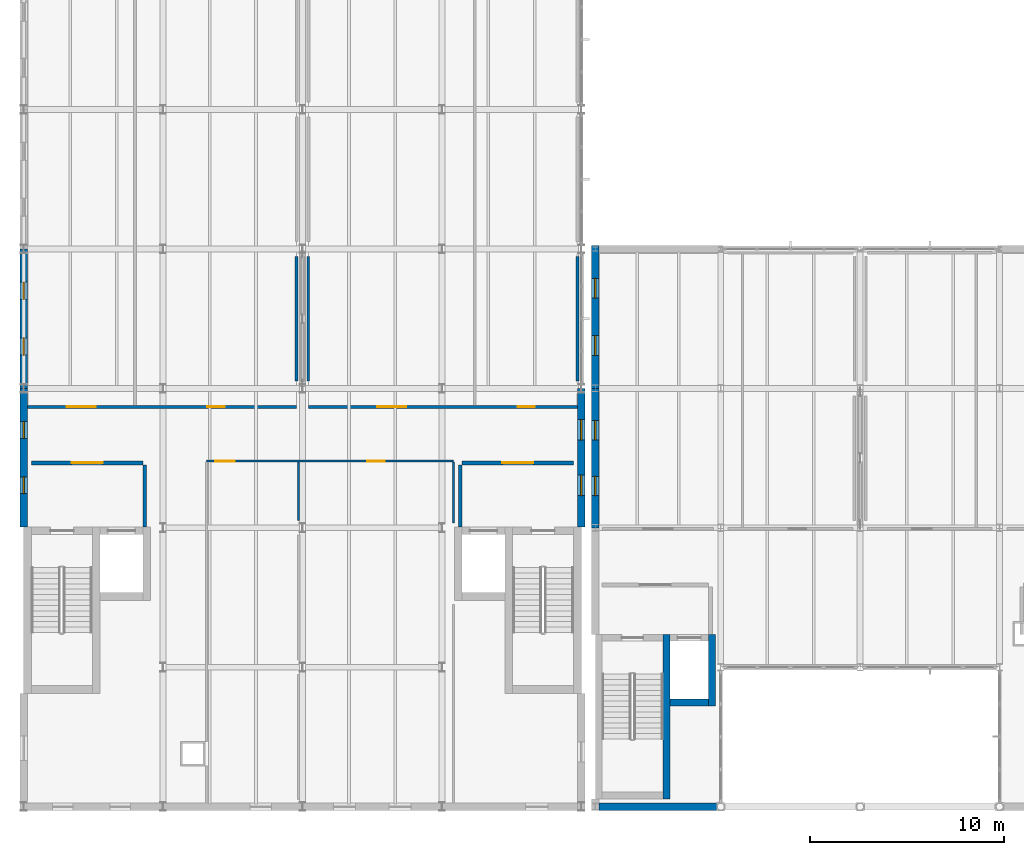
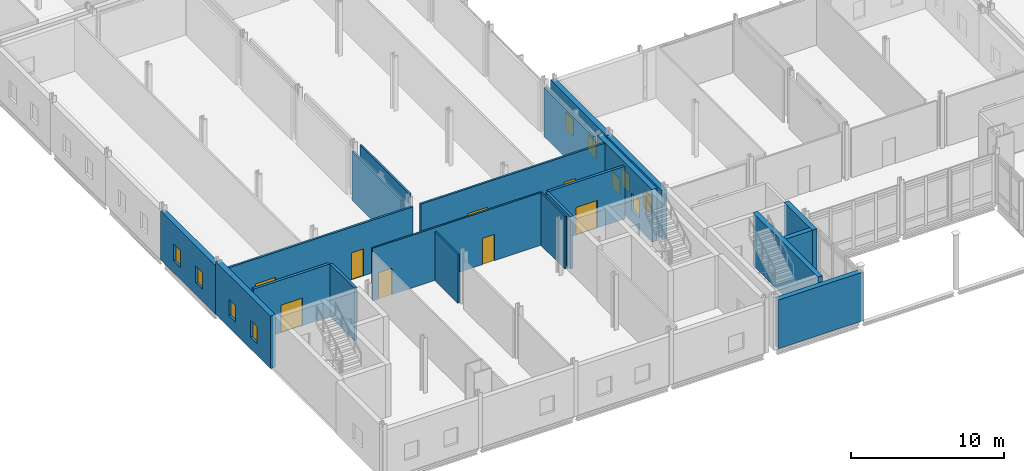
# One storey, part 52 of 72: 21 walls, 10 windows, 8 doors, 18 openings.
"""IFC4 building model written with IfcOpenShell, lengths in metres."""

import ifcopenshell
import ifcopenshell.guid

model = None  # the IFC model being written
_history = None  # IfcOwnerHistory: only IFC2X3 demands one
_inside = {}  # id of a spatial element -> (the spatial element, [elements in it])
_under = {}  # id of a project, library or spatial element -> (it, [spatial elements below it])
_declared = {}  # id of a project -> (the project, [libraries it declares])
_typed = {}  # id of a type object -> (the type object, [elements of that type])
_made_of = {}  # id of a material, layer set ... -> (it, [elements and type objects made of it])


def new_model(schema):
    """Start an empty IFC model of exactly this schema.

    Asked for "IFC4X3", IfcOpenShell would pick the latest addendum, in which some entities
    have other attributes; the version numbers below select the first issue.
    IFC2X3 requires an IfcOwnerHistory on every rooted entity: one is made here for all.
    """
    global model, _history
    if schema == "IFC4X3":
        model = ifcopenshell.file(schema_version=(4, 3, 0, 0))
    else:
        model = ifcopenshell.file(schema=schema)
    _inside.clear()
    _under.clear()
    _declared.clear()
    _typed.clear()
    _made_of.clear()
    _history = None
    if model.schema == "IFC2X3":
        org = make("IfcOrganization", Name="unknown")
        user = make(
            "IfcPersonAndOrganization",
            ThePerson=make("IfcPerson", FamilyName="unknown"),
            TheOrganization=org,
        )
        app = make(
            "IfcApplication",
            ApplicationDeveloper=org,
            Version="unknown",
            ApplicationFullName="unknown",
            ApplicationIdentifier="unknown",
        )
        _history = make(
            "IfcOwnerHistory",
            OwningUser=user,
            OwningApplication=app,
            ChangeAction="ADDED",
            CreationDate=0,
        )
    return model


def make(cls, **values):
    """One entity of the class cls with the attributes given. An attribute that is None is left unset."""
    return model.create_entity(
        cls, **{name: value for name, value in values.items() if value is not None}
    )


def rooted(cls, **values):
    """An entity with a GlobalId (a new one), such as an element, a storey or a relation."""
    return make(cls, GlobalId=ifcopenshell.guid.new(), OwnerHistory=_history, **values)


def si_unit(unit_type, name, prefix=None):
    """IfcSIUnit, for example si_unit("LENGTHUNIT", "METRE", prefix="MILLI")."""
    return make("IfcSIUnit", UnitType=unit_type, Prefix=prefix, Name=name)


def assignment(units):
    """IfcUnitAssignment: the units of a project."""
    return None if units is None else make("IfcUnitAssignment", Units=units)


def point(xyz):
    """IfcCartesianPoint."""
    return None if xyz is None else make("IfcCartesianPoint", Coordinates=xyz)


def direction(xyz):
    """IfcDirection."""
    return None if xyz is None else make("IfcDirection", DirectionRatios=xyz)


def frame(location, z_axis=None, x_axis=None):
    """IfcAxis2Placement3D, a coordinate frame: its origin and axes. An axis left out is left unset."""
    return make(
        "IfcAxis2Placement3D",
        Location=point(location),
        Axis=direction(z_axis),
        RefDirection=direction(x_axis),
    )


def frame_2d(location, x_axis=None):
    """IfcAxis2Placement2D, a coordinate frame in the plane: its origin and x axis."""
    return make(
        "IfcAxis2Placement2D", Location=point(location), RefDirection=direction(x_axis)
    )


def origin():
    """The frame at (0, 0, 0) with its axes left unset."""
    return frame((0.0, 0.0, 0.0))


def place(relative_to, where):
    """IfcLocalPlacement: puts the frame where relative to a parent placement (None: the world)."""
    return make(
        "IfcLocalPlacement", PlacementRelTo=relative_to, RelativePlacement=where
    )


def context(
    kind, dimensions, precision=None, world=None, true_north=None, identifier=None
):
    """IfcGeometricRepresentationContext, for example the 3D "Model" context."""
    return make(
        "IfcGeometricRepresentationContext",
        ContextIdentifier=identifier,
        ContextType=kind,
        CoordinateSpaceDimension=dimensions,
        Precision=precision,
        WorldCoordinateSystem=world,
        TrueNorth=true_north,
    )


def subcontext(parent, identifier, kind, view, scale=None):
    """IfcGeometricRepresentationSubContext, for example "Body" below "Model"."""
    return make(
        "IfcGeometricRepresentationSubContext",
        ContextIdentifier=identifier,
        ContextType=kind,
        ParentContext=parent,
        TargetScale=scale,
        TargetView=view,
    )


def project(units=None, contexts=None):
    """IfcProject with its units and contexts."""
    return rooted(
        "IfcProject",
        Name="project",
        RepresentationContexts=contexts,
        UnitsInContext=assignment(units),
    )


def spatial(cls, under=None, at=None, **own):
    """A site, building, storey or space (cls), placed at a placement, below another one or the project."""
    s = rooted(cls, ObjectPlacement=at, **own)
    if under is not None:
        _under.setdefault(under.id(), (under, []))[1].append(s)
    return s


def profile(cls, at=None, kind="AREA", **sizes):
    """A parametric profile (cls). Its sizes go by their IFC names, for example OverallWidth=200.0."""
    return make(cls, ProfileType=kind, Position=at, **sizes)


def rectangle(**sizes):
    """IfcRectangleProfileDef."""
    return profile("IfcRectangleProfileDef", **sizes)


def extrude(swept, where, along, depth):
    """IfcExtrudedAreaSolid: the profile swept, set in the frame where, extruded along a direction by depth."""
    return make(
        "IfcExtrudedAreaSolid",
        SweptArea=swept,
        Position=where,
        ExtrudedDirection=direction(along),
        Depth=depth,
    )


def shape(context_of_items, identifier, shape_type, items):
    """IfcShapeRepresentation: the items that make up one representation, for example the "Body"."""
    return make(
        "IfcShapeRepresentation",
        ContextOfItems=context_of_items,
        RepresentationIdentifier=identifier,
        RepresentationType=shape_type,
        Items=items,
    )


def material(Name=None, Category=None):
    """IfcMaterial."""
    return make("IfcMaterial", Name=Name, Category=Category)


def layer(
    of_material, thickness, ventilated=None, Name=None, Category=None, Priority=None
):
    """IfcMaterialLayer: one layer of a wall or slab, of a material (None: an air gap)."""
    return make(
        "IfcMaterialLayer",
        Material=of_material,
        LayerThickness=thickness,
        IsVentilated=ventilated,
        Name=Name,
        Category=Category,
        Priority=Priority,
    )


def layer_set(layers, Name=None):
    """IfcMaterialLayerSet."""
    return make("IfcMaterialLayerSet", MaterialLayers=layers, LayerSetName=Name)


def made_of(thing, what):
    """Note that an element or type object is made of a material, layer set ...; save() writes the relation."""
    if what is not None:
        _made_of.setdefault(what.id(), (what, []))[1].append(thing)
    return thing


def type_object(cls, material=None, **own):
    """A type object (cls), such as IfcWallType, which elements share."""
    return made_of(rooted(cls, **own), material)


def element(
    cls,
    number,
    at=None,
    inside=None,
    cuts=None,
    type_object=None,
    material=None,
    context=None,
    identifier="Body",
    shape_type=None,
    held_by="IfcProductDefinitionShape",
    body=None,
    shapes=None,
    **own,
):
    """One element of the class cls, such as IfcWall. Its Tag is "e" and its number.

    at: its placement. inside: the storey or other place that contains it. cuts: it is an
    opening in that element (IfcRelVoidsElement). A single representation is given by context,
    identifier, shape_type and body (its items); several are given by shapes. held_by: the class
    of the entity that holds the representations. save() writes the other relations.
    """
    e = rooted(cls, Tag="e%d" % number, ObjectPlacement=at, **own)
    if body is not None:
        shapes = [shape(context, identifier, shape_type, body)]
    if shapes is not None:
        e.Representation = make(held_by, Representations=shapes)
    if inside is not None:
        _inside.setdefault(inside.id(), (inside, []))[1].append(e)
    if cuts is not None:
        rooted(
            "IfcRelVoidsElement", RelatingBuildingElement=cuts, RelatedOpeningElement=e
        )
    if type_object is not None:
        _typed.setdefault(type_object.id(), (type_object, []))[1].append(e)
    return made_of(e, material)


def fill(opening, filler):
    """IfcRelFillsElement: the door or window that sits in an opening."""
    return rooted(
        "IfcRelFillsElement",
        RelatingOpeningElement=opening,
        RelatedBuildingElement=filler,
    )


def aggregate(whole, parts):
    """IfcRelAggregates: a whole, such as a stair, and the parts it consists of."""
    return rooted("IfcRelAggregates", RelatingObject=whole, RelatedObjects=parts)


def save(model, path):
    """Write the relations noted so far, then the file.

    IfcRelAggregates (storeys below a building ...), IfcRelContainedInSpatialStructure (elements
    in a storey), IfcRelDefinesByType, IfcRelAssociatesMaterial and IfcRelDeclares: one each for
    every whole, place, type object, material and project.
    """
    for whole, parts in _under.values():
        aggregate(whole, parts)
    for where, things in _inside.values():
        rooted(
            "IfcRelContainedInSpatialStructure",
            RelatedElements=things,
            RelatingStructure=where,
        )
    for kind, things in _typed.values():
        rooted("IfcRelDefinesByType", RelatedObjects=things, RelatingType=kind)
    for what, things in _made_of.values():
        rooted("IfcRelAssociatesMaterial", RelatedObjects=things, RelatingMaterial=what)
    for by, libraries in _declared.values():
        rooted("IfcRelDeclares", RelatingContext=by, RelatedDefinitions=libraries)
    model.write(path)


model = new_model("IFC4")

# Units and contexts
model_context = context("Model", 3, precision=1e-05, world=origin(), true_north=direction((0.0, 1.0)))
body_context = subcontext(model_context, "Body", "Model", "MODEL_VIEW")
ifc_project = project(units=[si_unit("LENGTHUNIT", "METRE"), si_unit("AREAUNIT", "SQUARE_METRE"), si_unit("VOLUMEUNIT", "CUBIC_METRE"), si_unit("PLANEANGLEUNIT", "RADIAN"), si_unit("MASSUNIT", "GRAM", prefix="KILO")], contexts=[model_context])

# Site, building, storey
site_placement = place(None, origin())
site = spatial("IfcSite", under=ifc_project, at=site_placement, CompositionType="ELEMENT")
building_placement = place(site_placement, origin())
building = spatial("IfcBuilding", under=site, at=building_placement, Name="Zarrinpeak Specialist Clinic", CompositionType="ELEMENT")
storey_placement = place(building_placement, frame((0.0, 0.0, 9.60009765625)))
storey = spatial("IfcBuildingStorey", under=building, at=storey_placement, Name="L02", CompositionType="ELEMENT", Elevation=9.60009765625)

# Walls
ifc_material_1 = material(Name="Concrete C40/50", Category="concrete")
ifc_layer_1 = layer(ifc_material_1, 0.35009765625)
ifc_layer_set_1 = layer_set([ifc_layer_1], Name="Concrete C40/50")
wall_type_1 = type_object("IfcWallType", Name="WL-CR350", PredefinedType="SHEAR", material=ifc_layer_set_1)
wall_1_placement = place(storey_placement, frame((33.195068359375, 0.39990234375, 0.0), z_axis=(0.0, 0.0, 1.0), x_axis=(0.0, 1.0, 0.0)))
element("IfcWall", 1, at=wall_1_placement, inside=storey, type_object=wall_type_1, Name="L02 Core C03 Shear Wall STE", PredefinedType="SHEAR", context=body_context, shape_type="SweptSolid", body=[
    extrude(rectangle(XDim=8.5, YDim=0.35009765625, at=frame_2d((4.25, 0.0))), origin(), (0.0, 0.0, 1.0), 4.199951171875),
])
wall_2_placement = place(storey_placement, frame((33.3701171875, 5.375, 0.0), z_axis=(0.0, 0.0, 1.0), x_axis=(1.0, 0.0, 0.0)))
element("IfcWall", 2, at=wall_2_placement, inside=storey, type_object=wall_type_1, Name="L02 Lift LF-P2 Shaft Wall LFS", PredefinedType="SHEAR", context=body_context, shape_type="SweptSolid", body=[
    extrude(rectangle(XDim=2.0, YDim=0.35009765625, at=frame_2d((1.0, 0.0))), origin(), (0.0, 0.0, 1.0), 4.199951171875),
])
wall_3_placement = place(storey_placement, frame((35.544921875, 5.199951171875, 0.0), z_axis=(0.0, 0.0, 1.0), x_axis=(0.0, 1.0, 0.0)))
element("IfcWall", 3, at=wall_3_placement, inside=storey, type_object=wall_type_1, Name="L02 Lift LF-P2 Shaft Wall LFE", PredefinedType="SHEAR", context=body_context, shape_type="SweptSolid", body=[
    extrude(rectangle(XDim=3.699951171875, YDim=0.35009765625, at=frame_2d((1.85009765625, 0.0))), origin(), (0.0, 0.0, 1.0), 4.199951171875),
])

# Wall, openings, windows
ifc_material_2 = material(Name="Precast concrete C40/50", Category="concrete")
ifc_layer_2 = layer(ifc_material_2, 0.3798828125)
ifc_layer_set_2 = layer_set([ifc_layer_2], Name="Precast concrete C40/50")
wall_type_2 = type_object("IfcWallType", Name="WL-EW380", PredefinedType="STANDARD", material=ifc_layer_set_2)
wall_4_placement = place(storey_placement, frame((0.0, 21.60009765625, 0.0), z_axis=(0.0, 0.0, 1.0), x_axis=(0.0, -1.0, 0.0)))
wall_4 = element("IfcWall", 4, at=wall_4_placement, inside=storey, type_object=wall_type_2, Name="L02 V1 Exterior GRC Wall EW-L02-V1-0036", PredefinedType="STANDARD", context=body_context, shape_type="SweptSolid", body=[
    extrude(rectangle(XDim=7.150146484375, YDim=0.3798828125, at=frame_2d((3.5751953125, 0.0))), origin(), (0.0, 0.0, 1.0), 4.199951171875),
])
opening_1_placement = place(wall_4_placement, frame((1.715087890625, 0.0, 0.949951171875)))
opening_1 = element("IfcOpeningElement", 5, at=opening_1_placement, cuts=wall_4, Name="Opening WS-27", PredefinedType="OPENING", context=body_context, shape_type="SweptSolid", body=[
    extrude(rectangle(XDim=0.860107421875, YDim=1.33203125, at=frame_2d((0.43017578125, 0.666015625))), frame((0.0, 0.199951171875, 0.0), z_axis=(0.0, -1.0, 0.0), x_axis=(1.0, 0.0, 0.0)), (0.0, 0.0, 1.0), 0.39990234375),
])
opening_2_placement = place(wall_4_placement, frame((4.574951171875, 0.0, 0.949951171875)))
opening_2 = element("IfcOpeningElement", 6, at=opening_2_placement, cuts=wall_4, Name="Opening WS-27", PredefinedType="OPENING", context=body_context, shape_type="SweptSolid", body=[
    extrude(rectangle(XDim=0.860107421875, YDim=1.33203125, at=frame_2d((0.43017578125, 0.666015625))), frame((0.0, 0.199951171875, 0.0), z_axis=(0.0, -1.0, 0.0), x_axis=(1.0, 0.0, 0.0)), (0.0, 0.0, 1.0), 0.39990234375),
])
ifc_material_3 = material(Name="Thermally Broken Aluminium and Low-E Glazing", Category="aluminium")
window_type_1 = type_object("IfcWindowType", Name="WN-SP27", PartitioningType="SINGLE_PANEL", PredefinedType="WINDOW", material=ifc_material_3)
window_1_placement = place(opening_1_placement, origin())
window_1 = element("IfcWindow", 7, at=window_1_placement, inside=storey, type_object=window_type_1, Name="L02 Modular Facade Window WN-L02-0052", OverallHeight=1.33203125, OverallWidth=0.860107421875, PartitioningType="SINGLE_PANEL", PredefinedType="WINDOW", context=body_context, shape_type="SweptSolid", body=[
    extrude(rectangle(XDim=0.860107421875, YDim=1.33203125, at=frame_2d((0.43017578125, 0.666015625))), frame((0.0, 0.030029296875, 0.0), z_axis=(0.0, -1.0, 0.0), x_axis=(1.0, 0.0, 0.0)), (0.0, 0.0, 1.0), 0.06005859375),
])
fill(opening_1, window_1)
window_2_placement = place(opening_2_placement, origin())
window_2 = element("IfcWindow", 8, at=window_2_placement, inside=storey, type_object=window_type_1, Name="L02 Modular Facade Window WN-L02-0053", OverallHeight=1.33203125, OverallWidth=0.860107421875, PartitioningType="SINGLE_PANEL", PredefinedType="WINDOW", context=body_context, shape_type="SweptSolid", body=[
    extrude(rectangle(XDim=0.860107421875, YDim=1.33203125, at=frame_2d((0.43017578125, 0.666015625))), frame((0.0, 0.030029296875, 0.0), z_axis=(0.0, -1.0, 0.0), x_axis=(1.0, 0.0, 0.0)), (0.0, 0.0, 1.0), 0.06005859375),
])
fill(opening_2, window_2)

wall_5_placement = place(storey_placement, frame((0.0, 28.800048828125, 0.0), z_axis=(0.0, 0.0, 1.0), x_axis=(0.0, -1.0, 0.0)))
wall_5 = element("IfcWall", 9, at=wall_5_placement, inside=storey, type_object=wall_type_2, Name="L02 V1 Exterior GRC Wall EW-L02-V1-0037", PredefinedType="STANDARD", context=body_context, shape_type="SweptSolid", body=[
    extrude(rectangle(XDim=7.199951171875, YDim=0.3798828125, at=frame_2d((3.60009765625, 0.0))), origin(), (0.0, 0.0, 1.0), 3.885009765625),
])
opening_3_placement = place(wall_5_placement, frame((1.712890625, 0.0, 0.949951171875)))
opening_3 = element("IfcOpeningElement", 10, at=opening_3_placement, cuts=wall_5, Name="Opening WS-28", PredefinedType="OPENING", context=body_context, shape_type="SweptSolid", body=[
    extrude(rectangle(XDim=0.89404296875, YDim=1.33203125, at=frame_2d((0.447021484375, 0.666015625))), frame((0.0, 0.199951171875, 0.0), z_axis=(0.0, -1.0, 0.0), x_axis=(1.0, 0.0, 0.0)), (0.0, 0.0, 1.0), 0.39990234375),
])
opening_4_placement = place(wall_5_placement, frame((4.593017578125, 0.0, 0.949951171875)))
opening_4 = element("IfcOpeningElement", 11, at=opening_4_placement, cuts=wall_5, Name="Opening WS-28", PredefinedType="OPENING", context=body_context, shape_type="SweptSolid", body=[
    extrude(rectangle(XDim=0.89404296875, YDim=1.33203125, at=frame_2d((0.447021484375, 0.666015625))), frame((0.0, 0.199951171875, 0.0), z_axis=(0.0, -1.0, 0.0), x_axis=(1.0, 0.0, 0.0)), (0.0, 0.0, 1.0), 0.39990234375),
])
window_type_2 = type_object("IfcWindowType", Name="WN-SP28", PartitioningType="SINGLE_PANEL", PredefinedType="WINDOW", material=ifc_material_3)
window_3_placement = place(opening_3_placement, origin())
window_3 = element("IfcWindow", 12, at=window_3_placement, inside=storey, type_object=window_type_2, Name="L02 Modular Facade Window WN-L02-0054", OverallHeight=1.33203125, OverallWidth=0.89404296875, PartitioningType="SINGLE_PANEL", PredefinedType="WINDOW", context=body_context, shape_type="SweptSolid", body=[
    extrude(rectangle(XDim=0.89404296875, YDim=1.33203125, at=frame_2d((0.447021484375, 0.666015625))), frame((0.0, 0.030029296875, 0.0), z_axis=(0.0, -1.0, 0.0), x_axis=(1.0, 0.0, 0.0)), (0.0, 0.0, 1.0), 0.06005859375),
])
fill(opening_3, window_3)
window_4_placement = place(opening_4_placement, origin())
window_4 = element("IfcWindow", 13, at=window_4_placement, inside=storey, type_object=window_type_2, Name="L02 Modular Facade Window WN-L02-0055", OverallHeight=1.33203125, OverallWidth=0.89404296875, PartitioningType="SINGLE_PANEL", PredefinedType="WINDOW", context=body_context, shape_type="SweptSolid", body=[
    extrude(rectangle(XDim=0.89404296875, YDim=1.33203125, at=frame_2d((0.447021484375, 0.666015625))), frame((0.0, 0.030029296875, 0.0), z_axis=(0.0, -1.0, 0.0), x_axis=(1.0, 0.0, 0.0)), (0.0, 0.0, 1.0), 0.06005859375),
])
fill(opening_4, window_4)

wall_6_placement = place(storey_placement, frame((28.800048828125, 14.449951171875, 0.0), z_axis=(0.0, 0.0, 1.0), x_axis=(0.0, 1.0, 0.0)))
wall_6 = element("IfcWall", 14, at=wall_6_placement, inside=storey, type_object=wall_type_2, Name="L02 V1 Exterior GRC Wall EW-L02-V1-0042", PredefinedType="STANDARD", context=body_context, shape_type="SweptSolid", body=[
    extrude(rectangle(XDim=7.150146484375, YDim=0.3798828125, at=frame_2d((3.5751953125, 0.0))), origin(), (0.0, 0.0, 1.0), 4.199951171875),
])
opening_5_placement = place(wall_6_placement, frame((1.613037109375, 0.0, 0.949951171875)))
opening_5 = element("IfcOpeningElement", 15, at=opening_5_placement, cuts=wall_6, Name="Opening WS-33", PredefinedType="OPENING", context=body_context, shape_type="SweptSolid", body=[
    extrude(rectangle(XDim=1.06396484375, YDim=1.33203125, at=frame_2d((0.531982421875, 0.666015625))), frame((0.0, 0.199951171875, 0.0), z_axis=(0.0, -1.0, 0.0), x_axis=(1.0, 0.0, 0.0)), (0.0, 0.0, 1.0), 0.39990234375),
])
opening_6_placement = place(wall_6_placement, frame((4.472900390625, 0.0, 0.949951171875)))
opening_6 = element("IfcOpeningElement", 16, at=opening_6_placement, cuts=wall_6, Name="Opening WS-33", PredefinedType="OPENING", context=body_context, shape_type="SweptSolid", body=[
    extrude(rectangle(XDim=1.06396484375, YDim=1.33203125, at=frame_2d((0.531982421875, 0.666015625))), frame((0.0, 0.199951171875, 0.0), z_axis=(0.0, -1.0, 0.0), x_axis=(1.0, 0.0, 0.0)), (0.0, 0.0, 1.0), 0.39990234375),
])
window_type_3 = type_object("IfcWindowType", Name="WN-SP33", PartitioningType="SINGLE_PANEL", PredefinedType="WINDOW", material=ifc_material_3)
window_5_placement = place(opening_5_placement, origin())
window_5 = element("IfcWindow", 17, at=window_5_placement, inside=storey, type_object=window_type_3, Name="L02 Modular Facade Window WN-L02-0063", OverallHeight=1.33203125, OverallWidth=1.06396484375, PartitioningType="SINGLE_PANEL", PredefinedType="WINDOW", context=body_context, shape_type="SweptSolid", body=[
    extrude(rectangle(XDim=1.06396484375, YDim=1.33203125, at=frame_2d((0.531982421875, 0.666015625))), frame((0.0, 0.030029296875, 0.0), z_axis=(0.0, -1.0, 0.0), x_axis=(1.0, 0.0, 0.0)), (0.0, 0.0, 1.0), 0.06005859375),
])
fill(opening_5, window_5)
window_6_placement = place(opening_6_placement, origin())
window_6 = element("IfcWindow", 18, at=window_6_placement, inside=storey, type_object=window_type_3, Name="L02 Modular Facade Window WN-L02-0064", OverallHeight=1.33203125, OverallWidth=1.06396484375, PartitioningType="SINGLE_PANEL", PredefinedType="WINDOW", context=body_context, shape_type="SweptSolid", body=[
    extrude(rectangle(XDim=1.06396484375, YDim=1.33203125, at=frame_2d((0.531982421875, 0.666015625))), frame((0.0, 0.030029296875, 0.0), z_axis=(0.0, -1.0, 0.0), x_axis=(1.0, 0.0, 0.0)), (0.0, 0.0, 1.0), 0.06005859375),
])
fill(opening_6, window_6)

# Wall
wall_7_placement = place(storey_placement, frame((29.7099609375, 0.0, 0.0), z_axis=(0.0, 0.0, 1.0), x_axis=(1.0, 0.0, 0.0)))
element("IfcWall", 19, at=wall_7_placement, inside=storey, type_object=wall_type_2, Name="L02 V2 Exterior GRC Wall EW-L02-V2-0121", PredefinedType="STANDARD", context=body_context, shape_type="SweptSolid", body=[
    extrude(rectangle(XDim=6.400146484375, YDim=0.3798828125, at=frame_2d((3.2001953125, 0.0))), origin(), (0.0, 0.0, 1.0), 3.89501953125),
])

# Wall, openings, windows
wall_8_placement = place(storey_placement, frame((29.52001953125, 21.60009765625, 0.0), z_axis=(0.0, 0.0, 1.0), x_axis=(0.0, -1.0, 0.0)))
wall_8 = element("IfcWall", 20, at=wall_8_placement, inside=storey, type_object=wall_type_2, Name="L02 V2 Exterior GRC Wall EW-L02-V2-0127", PredefinedType="STANDARD", context=body_context, shape_type="SweptSolid", body=[
    extrude(rectangle(XDim=7.2001953125, YDim=0.3798828125, at=frame_2d((3.60009765625, 0.0))), origin(), (0.0, 0.0, 1.0), 3.89501953125),
])
opening_7_placement = place(wall_8_placement, frame((1.662109375, 0.0, 0.949951171875)))
opening_7 = element("IfcOpeningElement", 21, at=opening_7_placement, cuts=wall_8, Name="Opening WS-44", PredefinedType="OPENING", context=body_context, shape_type="SweptSolid", body=[
    extrude(rectangle(XDim=0.99609375, YDim=1.367919921875, at=frame_2d((0.498046875, 0.68408203125))), frame((0.0, 0.199951171875, 0.0), z_axis=(0.0, -1.0, 0.0), x_axis=(1.0, 0.0, 0.0)), (0.0, 0.0, 1.0), 0.39990234375),
])
opening_8_placement = place(wall_8_placement, frame((4.5419921875, 0.0, 0.949951171875)))
opening_8 = element("IfcOpeningElement", 22, at=opening_8_placement, cuts=wall_8, Name="Opening WS-44", PredefinedType="OPENING", context=body_context, shape_type="SweptSolid", body=[
    extrude(rectangle(XDim=0.99609375, YDim=1.367919921875, at=frame_2d((0.498046875, 0.68408203125))), frame((0.0, 0.199951171875, 0.0), z_axis=(0.0, -1.0, 0.0), x_axis=(1.0, 0.0, 0.0)), (0.0, 0.0, 1.0), 0.39990234375),
])
window_type_4 = type_object("IfcWindowType", Name="WN-SP44", PartitioningType="SINGLE_PANEL", PredefinedType="WINDOW", material=ifc_material_3)
window_7_placement = place(opening_7_placement, origin())
window_7 = element("IfcWindow", 23, at=window_7_placement, inside=storey, type_object=window_type_4, Name="L02 Modular Facade Window WN-L02-0162", OverallHeight=1.367919921875, OverallWidth=0.99609375, PartitioningType="SINGLE_PANEL", PredefinedType="WINDOW", context=body_context, shape_type="SweptSolid", body=[
    extrude(rectangle(XDim=0.99609375, YDim=1.367919921875, at=frame_2d((0.498046875, 0.68408203125))), frame((0.0, 0.030029296875, 0.0), z_axis=(0.0, -1.0, 0.0), x_axis=(1.0, 0.0, 0.0)), (0.0, 0.0, 1.0), 0.06005859375),
])
fill(opening_7, window_7)
window_8_placement = place(opening_8_placement, origin())
window_8 = element("IfcWindow", 24, at=window_8_placement, inside=storey, type_object=window_type_4, Name="L02 Modular Facade Window WN-L02-0163", OverallHeight=1.367919921875, OverallWidth=0.99609375, PartitioningType="SINGLE_PANEL", PredefinedType="WINDOW", context=body_context, shape_type="SweptSolid", body=[
    extrude(rectangle(XDim=0.99609375, YDim=1.367919921875, at=frame_2d((0.498046875, 0.68408203125))), frame((0.0, 0.030029296875, 0.0), z_axis=(0.0, -1.0, 0.0), x_axis=(1.0, 0.0, 0.0)), (0.0, 0.0, 1.0), 0.06005859375),
])
fill(opening_8, window_8)

wall_9_placement = place(storey_placement, frame((29.52001953125, 28.989990234375, 0.0), z_axis=(0.0, 0.0, 1.0), x_axis=(0.0, -1.0, 0.0)))
wall_9 = element("IfcWall", 25, at=wall_9_placement, inside=storey, type_object=wall_type_2, Name="L02 V2 Exterior GRC Wall EW-L02-V2-0128", PredefinedType="STANDARD", context=body_context, shape_type="SweptSolid", body=[
    extrude(rectangle(XDim=7.389892578125, YDim=0.3798828125, at=frame_2d((3.69482421875, 0.0))), origin(), (0.0, 0.0, 1.0), 3.89990234375),
])
opening_9_placement = place(wall_9_placement, frame((1.701904296875, 0.0, 0.949951171875)))
opening_9 = element("IfcOpeningElement", 26, at=opening_9_placement, cuts=wall_9, Name="Opening WS-45", PredefinedType="OPENING", context=body_context, shape_type="SweptSolid", body=[
    extrude(rectangle(XDim=1.030029296875, YDim=1.367919921875, at=frame_2d((0.51513671875, 0.68408203125))), frame((0.0, 0.199951171875, 0.0), z_axis=(0.0, -1.0, 0.0), x_axis=(1.0, 0.0, 0.0)), (0.0, 0.0, 1.0), 0.39990234375),
])
opening_10_placement = place(wall_9_placement, frame((4.657958984375, 0.0, 0.949951171875)))
opening_10 = element("IfcOpeningElement", 27, at=opening_10_placement, cuts=wall_9, Name="Opening WS-45", PredefinedType="OPENING", context=body_context, shape_type="SweptSolid", body=[
    extrude(rectangle(XDim=1.030029296875, YDim=1.367919921875, at=frame_2d((0.51513671875, 0.68408203125))), frame((0.0, 0.199951171875, 0.0), z_axis=(0.0, -1.0, 0.0), x_axis=(1.0, 0.0, 0.0)), (0.0, 0.0, 1.0), 0.39990234375),
])
window_type_5 = type_object("IfcWindowType", Name="WN-SP45", PartitioningType="SINGLE_PANEL", PredefinedType="WINDOW", material=ifc_material_3)
window_9_placement = place(opening_9_placement, origin())
window_9 = element("IfcWindow", 28, at=window_9_placement, inside=storey, type_object=window_type_5, Name="L02 Modular Facade Window WN-L02-0164", OverallHeight=1.367919921875, OverallWidth=1.030029296875, PartitioningType="SINGLE_PANEL", PredefinedType="WINDOW", context=body_context, shape_type="SweptSolid", body=[
    extrude(rectangle(XDim=1.030029296875, YDim=1.367919921875, at=frame_2d((0.51513671875, 0.68408203125))), frame((0.0, 0.030029296875, 0.0), z_axis=(0.0, -1.0, 0.0), x_axis=(1.0, 0.0, 0.0)), (0.0, 0.0, 1.0), 0.06005859375),
])
fill(opening_9, window_9)
window_10_placement = place(opening_10_placement, origin())
window_10 = element("IfcWindow", 29, at=window_10_placement, inside=storey, type_object=window_type_5, Name="L02 Modular Facade Window WN-L02-0165", OverallHeight=1.367919921875, OverallWidth=1.030029296875, PartitioningType="SINGLE_PANEL", PredefinedType="WINDOW", context=body_context, shape_type="SweptSolid", body=[
    extrude(rectangle(XDim=1.030029296875, YDim=1.367919921875, at=frame_2d((0.51513671875, 0.68408203125))), frame((0.0, 0.030029296875, 0.0), z_axis=(0.0, -1.0, 0.0), x_axis=(1.0, 0.0, 0.0)), (0.0, 0.0, 1.0), 0.06005859375),
])
fill(opening_10, window_10)

# Walls
ifc_material_4 = material(Name="Sanitary Service Chase Plumbing Wall", Category="gypsum")
ifc_layer_3 = layer(ifc_material_4, 0.110107421875)
ifc_layer_set_3 = layer_set([ifc_layer_3], Name="Sanitary Service Chase Plumbing Wall")
wall_type_3 = type_object("IfcWallType", Name="WL-IW110", PredefinedType="PARTITIONING", material=ifc_layer_set_3)
wall_10_placement = place(storey_placement, frame((14.199951171875, 14.780029296875, 0.0), z_axis=(0.0, 0.0, 1.0), x_axis=(0.0, 1.0, 0.0)))
element("IfcWall", 30, at=wall_10_placement, inside=storey, type_object=wall_type_3, Name="L02 Accessible Patient WC Dividing Partition", PredefinedType="PARTITIONING", context=body_context, shape_type="SweptSolid", body=[
    extrude(rectangle(XDim=3.007568359375, YDim=0.110107421875, at=frame_2d((1.50390625, 0.0))), origin(), (0.0, 0.0, 1.0), 3.89501953125),
])
wall_11_placement = place(storey_placement, frame((22.199951171875, 14.64990234375, 0.0), z_axis=(0.0, 0.0, 1.0), x_axis=(0.0, 1.0, 0.0)))
element("IfcWall", 31, at=wall_11_placement, inside=storey, type_object=wall_type_3, Name="L02 Staff Sanitary WC Dividing Partition", PredefinedType="PARTITIONING", context=body_context, shape_type="SweptSolid", body=[
    extrude(rectangle(XDim=3.1376953125, YDim=0.110107421875, at=frame_2d((1.56884765625, 0.0))), origin(), (0.0, 0.0, 1.0), 4.199951171875),
])

# Wall, openings, doors
ifc_material_5 = material(Name="Moisture-Resistant Wet-Room Partition", Category="gypsum")
ifc_layer_4 = layer(ifc_material_5, 0.125)
ifc_layer_set_4 = layer_set([ifc_layer_4], Name="Moisture-Resistant Wet-Room Partition")
wall_type_4 = type_object("IfcWallType", Name="WL-IW125W", PredefinedType="PARTITIONING", material=ifc_layer_set_4)
wall_12_placement = place(storey_placement, frame((9.449951171875, 17.85009765625, 0.0), z_axis=(0.0, 0.0, 1.0), x_axis=(1.0, 0.0, 0.0)))
wall_12 = element("IfcWall", 32, at=wall_12_placement, inside=storey, type_object=wall_type_4, Name="L02 Accessible Patient WC Partition", PredefinedType="PARTITIONING", context=body_context, shape_type="SweptSolid", body=[
    extrude(rectangle(XDim=12.75, YDim=0.125, at=frame_2d((6.375, 0.0))), origin(), (0.0, 0.0, 1.0), 4.199951171875),
])
opening_11_placement = place(wall_12_placement, frame((0.449951171875, 0.0, 0.0)))
opening_11 = element("IfcOpeningElement", 33, at=opening_11_placement, cuts=wall_12, Name="Opening D-W02", PredefinedType="OPENING", context=body_context, shape_type="SweptSolid", body=[
    extrude(rectangle(XDim=1.0, YDim=2.10009765625, at=frame_2d((0.5, 1.050048828125))), frame((0.0, 0.072509765625, 0.0), z_axis=(0.0, -1.0, 0.0), x_axis=(1.0, 0.0, 0.0)), (0.0, 0.0, 1.0), 0.14501953125),
])
opening_12_placement = place(wall_12_placement, frame((8.300048828125, 0.0, 0.0)))
opening_12 = element("IfcOpeningElement", 34, at=opening_12_placement, cuts=wall_12, Name="Opening D-W01", PredefinedType="OPENING", context=body_context, shape_type="SweptSolid", body=[
    extrude(rectangle(XDim=0.89990234375, YDim=2.10009765625, at=frame_2d((0.449951171875, 1.050048828125))), frame((0.0, 0.072509765625, 0.0), z_axis=(0.0, -1.0, 0.0), x_axis=(1.0, 0.0, 0.0)), (0.0, 0.0, 1.0), 0.14501953125),
])
ifc_material_6 = material(Name="Powder-Coated Galvanised Steel", Category="steel")
door_type_1 = type_object("IfcDoorType", Name="DR-AWC100", OperationType="SLIDING_TO_LEFT", PredefinedType="DOOR", material=ifc_material_6)
door_1_placement = place(opening_11_placement, origin())
door_1 = element("IfcDoor", 35, at=door_1_placement, inside=storey, type_object=door_type_1, Name="L02 Accessible Patient WC Door", OperationType="SLIDING_TO_LEFT", OverallHeight=2.10009765625, OverallWidth=1.0, PredefinedType="DOOR", context=body_context, shape_type="SweptSolid", body=[
    extrude(rectangle(XDim=1.0, YDim=2.10009765625, at=frame_2d((0.5, 1.050048828125))), frame((0.0, 0.02490234375, 0.0), z_axis=(0.0, -1.0, 0.0), x_axis=(1.0, 0.0, 0.0)), (0.0, 0.0, 1.0), 0.050048828125),
])
fill(opening_11, door_1)
door_type_2 = type_object("IfcDoorType", Name="DR-WC90", OperationType="SINGLE_SWING_RIGHT", PredefinedType="DOOR", material=ifc_material_6)
door_2_placement = place(opening_12_placement, origin())
door_2 = element("IfcDoor", 36, at=door_2_placement, inside=storey, type_object=door_type_2, Name="L02 Staff Sanitary WC Door", OperationType="SINGLE_SWING_RIGHT", OverallHeight=2.10009765625, OverallWidth=0.89990234375, PredefinedType="DOOR", context=body_context, shape_type="SweptSolid", body=[
    extrude(rectangle(XDim=0.89990234375, YDim=2.10009765625, at=frame_2d((0.449951171875, 1.050048828125))), frame((0.0, 0.02490234375, 0.0), z_axis=(0.0, -1.0, 0.0), x_axis=(1.0, 0.0, 0.0)), (0.0, 0.0, 1.0), 0.050048828125),
])
fill(opening_12, door_2)

# Wall
ifc_material_7 = material(Name="Standard Drywall Partition", Category="gypsum")
ifc_layer_5 = layer(ifc_material_7, 0.135009765625)
ifc_layer_set_5 = layer_set([ifc_layer_5], Name="Standard Drywall Partition")
wall_type_5 = type_object("IfcWallType", Name="WL-IW135", PredefinedType="PARTITIONING", material=ifc_layer_set_5)
wall_13_placement = place(storey_placement, frame((14.699951171875, 21.97998046875, 0.0), z_axis=(0.0, 0.0, 1.0), x_axis=(0.0, 1.0, 0.0)))
element("IfcWall", 37, at=wall_13_placement, inside=storey, type_object=wall_type_5, Name="L02 Ophthalmology Laser Treatment Room Dividing Partition", PredefinedType="PARTITIONING", context=body_context, shape_type="SweptSolid", body=[
    extrude(rectangle(XDim=6.43994140625, YDim=0.135009765625, at=frame_2d((3.219970703125, 0.0))), origin(), (0.0, 0.0, 1.0), 4.199951171875),
])

# Wall, openings, doors
ifc_material_8 = material(Name="Insulated Clinical Gypsum Stud Partition", Category="gypsum")
ifc_layer_6 = layer(ifc_material_8, 0.14990234375)
ifc_layer_set_6 = layer_set([ifc_layer_6], Name="Insulated Clinical Gypsum Stud Partition")
wall_type_6 = type_object("IfcWallType", Name="WL-IW150", PredefinedType="PARTITIONING", material=ifc_layer_set_6)
wall_14_placement = place(storey_placement, frame((14.699951171875, 20.64990234375, 0.0), z_axis=(0.0, 0.0, 1.0), x_axis=(1.0, 0.0, 0.0)))
wall_14 = element("IfcWall", 38, at=wall_14_placement, inside=storey, type_object=wall_type_6, Name="L02 Neurology EMG Diagnostic Room Partition", PredefinedType="PARTITIONING", context=body_context, shape_type="SweptSolid", body=[
    extrude(rectangle(XDim=13.900146484375, YDim=0.14990234375, at=frame_2d((6.9501953125, 0.0))), origin(), (0.0, 0.0, 1.0), 4.199951171875),
])
opening_13_placement = place(wall_14_placement, frame((10.81005859375, 0.0, 0.0)))
opening_13 = element("IfcOpeningElement", 39, at=opening_13_placement, cuts=wall_14, Name="Opening DS-53", PredefinedType="OPENING", context=body_context, shape_type="SweptSolid", body=[
    extrude(rectangle(XDim=0.8798828125, YDim=2.152099609375, at=frame_2d((0.43994140625, 1.076171875))), frame((0.0, 0.0849609375, 0.0), z_axis=(0.0, -1.0, 0.0), x_axis=(1.0, 0.0, 0.0)), (0.0, 0.0, 1.0), 0.169921875),
])
opening_14_placement = place(wall_14_placement, frame((3.550048828125, 0.0, 0.0)))
opening_14 = element("IfcOpeningElement", 40, at=opening_14_placement, cuts=wall_14, Name="Opening D-B01", PredefinedType="OPENING", context=body_context, shape_type="SweptSolid", body=[
    extrude(rectangle(XDim=1.5, YDim=2.199951171875, at=frame_2d((0.75, 1.10009765625))), frame((0.0, 0.0849609375, 0.0), z_axis=(0.0, -1.0, 0.0), x_axis=(1.0, 0.0, 0.0)), (0.0, 0.0, 1.0), 0.169921875),
])
door_type_3 = type_object("IfcDoorType", Name="DR-BED150", OperationType="DOUBLE_DOOR_SINGLE_SWING", PredefinedType="DOOR", material=ifc_material_6)
door_3_placement = place(opening_14_placement, frame((1.5, 0.0, 0.0), z_axis=(0.0, 0.0, 1.0), x_axis=(-1.0, 0.0, 0.0)))
door_3 = element("IfcDoor", 41, at=door_3_placement, inside=storey, type_object=door_type_3, Name="L02 Ophthalmology Laser Treatment Room Door", OperationType="DOUBLE_DOOR_SINGLE_SWING", OverallHeight=2.199951171875, OverallWidth=1.5, PredefinedType="DOOR", context=body_context, shape_type="SweptSolid", body=[
    extrude(rectangle(XDim=1.5, YDim=2.199951171875, at=frame_2d((0.75, 1.10009765625))), frame((0.0, 0.02490234375, 0.0), z_axis=(0.0, -1.0, 0.0), x_axis=(1.0, 0.0, 0.0)), (0.0, 0.0, 1.0), 0.050048828125),
])
fill(opening_14, door_3)
door_type_4 = type_object("IfcDoorType", Name="DR-SP53", OperationType="SINGLE_SWING_RIGHT", PredefinedType="DOOR", material=ifc_material_6)
door_4_placement = place(opening_13_placement, frame((0.8798828125, 0.0, 0.0), z_axis=(0.0, 0.0, 1.0), x_axis=(-1.0, 0.0, 0.0)))
door_4 = element("IfcDoor", 42, at=door_4_placement, inside=storey, type_object=door_type_4, Name="L02 Neurology EMG Diagnostic Room Door", OperationType="SINGLE_SWING_RIGHT", OverallHeight=2.152099609375, OverallWidth=0.8798828125, PredefinedType="DOOR", context=body_context, shape_type="SweptSolid", body=[
    extrude(rectangle(XDim=0.8798828125, YDim=2.152099609375, at=frame_2d((0.43994140625, 1.076171875))), frame((0.0, 0.02490234375, 0.0), z_axis=(0.0, -1.0, 0.0), x_axis=(1.0, 0.0, 0.0)), (0.0, 0.0, 1.0), 0.050048828125),
])
fill(opening_13, door_4)

# Wall
wall_15_placement = place(storey_placement, frame((14.10009765625, 21.97998046875, 0.0), z_axis=(0.0, 0.0, 1.0), x_axis=(0.0, 1.0, 0.0)))
element("IfcWall", 43, at=wall_15_placement, inside=storey, type_object=wall_type_6, Name="L02 Audiology Soundproof Booth Dividing Partition", PredefinedType="PARTITIONING", context=body_context, shape_type="SweptSolid", body=[
    extrude(rectangle(XDim=6.43994140625, YDim=0.14990234375, at=frame_2d((3.219970703125, 0.0))), origin(), (0.0, 0.0, 1.0), 3.89501953125),
])

# Wall, openings, doors
ifc_material_9 = material(Name="Acoustic Double Gypsum Stud Partition", Category="gypsum")
ifc_layer_7 = layer(ifc_material_9, 0.159912109375)
ifc_layer_set_7 = layer_set([ifc_layer_7], Name="Acoustic Double Gypsum Stud Partition")
wall_type_7 = type_object("IfcWallType", Name="WL-IW160", PredefinedType="PARTITIONING", material=ifc_layer_set_7)
wall_16_placement = place(storey_placement, frame((0.199951171875, 20.64990234375, 0.0), z_axis=(0.0, 0.0, 1.0), x_axis=(1.0, 0.0, 0.0)))
wall_16 = element("IfcWall", 44, at=wall_16_placement, inside=storey, type_object=wall_type_7, Name="L02 Sleep Disorder Telemetry Suite Partition", PredefinedType="PARTITIONING", context=body_context, shape_type="SweptSolid", body=[
    extrude(rectangle(XDim=13.900146484375, YDim=0.159912109375, at=frame_2d((6.9501953125, 0.0))), origin(), (0.0, 0.0, 1.0), 4.199951171875),
])
opening_15_placement = place(wall_16_placement, frame((2.02490234375, 0.0, 0.0)))
opening_15 = element("IfcOpeningElement", 45, at=opening_15_placement, cuts=wall_16, Name="Opening D-B01", PredefinedType="OPENING", context=body_context, shape_type="SweptSolid", body=[
    extrude(rectangle(XDim=1.5, YDim=2.199951171875, at=frame_2d((0.75, 1.10009765625))), frame((0.0, 0.08984375, 0.0), z_axis=(0.0, -1.0, 0.0), x_axis=(1.0, 0.0, 0.0)), (0.0, 0.0, 1.0), 0.179931640625),
])
opening_16_placement = place(wall_16_placement, frame((9.27197265625, 0.0, 0.0)))
opening_16 = element("IfcOpeningElement", 46, at=opening_16_placement, cuts=wall_16, Name="Opening DS-54", PredefinedType="OPENING", context=body_context, shape_type="SweptSolid", body=[
    extrude(rectangle(XDim=0.906005859375, YDim=2.152099609375, at=frame_2d((0.453125, 1.076171875))), frame((0.0, 0.08984375, 0.0), z_axis=(0.0, -1.0, 0.0), x_axis=(1.0, 0.0, 0.0)), (0.0, 0.0, 1.0), 0.179931640625),
])
door_5_placement = place(opening_15_placement, frame((1.5, 0.0, 0.0), z_axis=(0.0, 0.0, 1.0), x_axis=(-1.0, 0.0, 0.0)))
door_5 = element("IfcDoor", 47, at=door_5_placement, inside=storey, type_object=door_type_3, Name="L02 Sleep Disorder Telemetry Suite Door", OperationType="DOUBLE_DOOR_SINGLE_SWING", OverallHeight=2.199951171875, OverallWidth=1.5, PredefinedType="DOOR", context=body_context, shape_type="SweptSolid", body=[
    extrude(rectangle(XDim=1.5, YDim=2.199951171875, at=frame_2d((0.75, 1.10009765625))), frame((0.0, 0.02490234375, 0.0), z_axis=(0.0, -1.0, 0.0), x_axis=(1.0, 0.0, 0.0)), (0.0, 0.0, 1.0), 0.050048828125),
])
fill(opening_15, door_5)
door_type_5 = type_object("IfcDoorType", Name="DR-SP54", OperationType="SINGLE_SWING_LEFT", PredefinedType="DOOR", material=ifc_material_6)
door_6_placement = place(opening_16_placement, frame((0.906005859375, 0.0, 0.0), z_axis=(0.0, 0.0, 1.0), x_axis=(-1.0, 0.0, 0.0)))
door_6 = element("IfcDoor", 48, at=door_6_placement, inside=storey, type_object=door_type_5, Name="L02 Audiology Soundproof Booth Door", OperationType="SINGLE_SWING_LEFT", OverallHeight=2.152099609375, OverallWidth=0.906005859375, PredefinedType="DOOR", context=body_context, shape_type="SweptSolid", body=[
    extrude(rectangle(XDim=0.906005859375, YDim=2.152099609375, at=frame_2d((0.453125, 1.076171875))), frame((0.0, 0.02490234375, 0.0), z_axis=(0.0, -1.0, 0.0), x_axis=(1.0, 0.0, 0.0)), (0.0, 0.0, 1.0), 0.050048828125),
])
fill(opening_16, door_6)

# Wall
wall_17_placement = place(storey_placement, frame((28.60009765625, 21.97998046875, 0.0), z_axis=(0.0, 0.0, 1.0), x_axis=(0.0, 1.0, 0.0)))
element("IfcWall", 49, at=wall_17_placement, inside=storey, type_object=wall_type_7, Name="L02 Neurology EMG Diagnostic Room Dividing Partition", PredefinedType="PARTITIONING", context=body_context, shape_type="SweptSolid", body=[
    extrude(rectangle(XDim=6.43994140625, YDim=0.159912109375, at=frame_2d((3.219970703125, 0.0))), origin(), (0.0, 0.0, 1.0), 3.89501953125),
])

# Wall, opening, door
ifc_material_10 = material(Name="Autoclaved Aerated Concrete Blockwork", Category="masonry")
ifc_layer_8 = layer(ifc_material_10, 0.199951171875)
ifc_layer_set_8 = layer_set([ifc_layer_8], Name="Autoclaved Aerated Concrete Blockwork")
wall_type_8 = type_object("IfcWallType", Name="WL-IW200", PredefinedType="PARTITIONING", material=ifc_layer_set_8)
wall_18_placement = place(storey_placement, frame((0.39990234375, 17.75, 0.0), z_axis=(0.0, 0.0, 1.0), x_axis=(1.0, 0.0, 0.0)))
wall_18 = element("IfcWall", 50, at=wall_18_placement, inside=storey, type_object=wall_type_8, Name="L02 C01 Protected Lobby Partition LBF", PredefinedType="PARTITIONING", context=body_context, shape_type="SweptSolid", body=[
    extrude(rectangle(XDim=5.75, YDim=0.199951171875, at=frame_2d((2.875, 0.0))), origin(), (0.0, 0.0, 1.0), 4.199951171875),
])
opening_17_placement = place(wall_18_placement, frame((2.074951171875, 0.0, 0.0)))
opening_17 = element("IfcOpeningElement", 51, at=opening_17_placement, cuts=wall_18, Name="Opening D-L01", PredefinedType="OPENING", context=body_context, shape_type="SweptSolid", body=[
    extrude(rectangle(XDim=1.60009765625, YDim=2.199951171875, at=frame_2d((0.800048828125, 1.10009765625))), frame((0.0, 0.10986328125, 0.0), z_axis=(0.0, -1.0, 0.0), x_axis=(1.0, 0.0, 0.0)), (0.0, 0.0, 1.0), 0.219970703125),
])
door_type_6 = type_object("IfcDoorType", Name="DR-LB160", OperationType="DOUBLE_DOOR_SINGLE_SWING", PredefinedType="DOOR", material=ifc_material_6)
door_7_placement = place(opening_17_placement, origin())
door_7 = element("IfcDoor", 52, at=door_7_placement, inside=storey, type_object=door_type_6, Name="L02 C01 Lobby Hold-Open Fire Door", OperationType="DOUBLE_DOOR_SINGLE_SWING", OverallHeight=2.199951171875, OverallWidth=1.60009765625, PredefinedType="DOOR", context=body_context, shape_type="SweptSolid", body=[
    extrude(rectangle(XDim=1.60009765625, YDim=2.199951171875, at=frame_2d((0.800048828125, 1.10009765625))), frame((0.0, 0.02490234375, 0.0), z_axis=(0.0, -1.0, 0.0), x_axis=(1.0, 0.0, 0.0)), (0.0, 0.0, 1.0), 0.050048828125),
])
fill(opening_17, door_7)

# Wall
wall_19_placement = place(storey_placement, frame((6.25, 14.449951171875, 0.0), z_axis=(0.0, 0.0, 1.0), x_axis=(0.0, 1.0, 0.0)))
element("IfcWall", 53, at=wall_19_placement, inside=storey, type_object=wall_type_8, Name="L02 C01 Protected Lobby Partition LBE", PredefinedType="PARTITIONING", context=body_context, shape_type="SweptSolid", body=[
    extrude(rectangle(XDim=3.199951171875, YDim=0.199951171875, at=frame_2d((1.60009765625, 0.0))), origin(), (0.0, 0.0, 1.0), 4.199951171875),
])

# Wall, opening, door
wall_20_placement = place(storey_placement, frame((22.64990234375, 17.75, 0.0), z_axis=(0.0, 0.0, 1.0), x_axis=(1.0, 0.0, 0.0)))
wall_20 = element("IfcWall", 54, at=wall_20_placement, inside=storey, type_object=wall_type_8, Name="L02 C02 Protected Lobby Partition LBF", PredefinedType="PARTITIONING", context=body_context, shape_type="SweptSolid", body=[
    extrude(rectangle(XDim=5.75, YDim=0.199951171875, at=frame_2d((2.875, 0.0))), origin(), (0.0, 0.0, 1.0), 4.199951171875),
])
opening_18_placement = place(wall_20_placement, frame((2.074951171875, 0.0, 0.0)))
opening_18 = element("IfcOpeningElement", 55, at=opening_18_placement, cuts=wall_20, Name="Opening D-L01", PredefinedType="OPENING", context=body_context, shape_type="SweptSolid", body=[
    extrude(rectangle(XDim=1.60009765625, YDim=2.199951171875, at=frame_2d((0.800048828125, 1.10009765625))), frame((0.0, 0.10986328125, 0.0), z_axis=(0.0, -1.0, 0.0), x_axis=(1.0, 0.0, 0.0)), (0.0, 0.0, 1.0), 0.219970703125),
])
door_8_placement = place(opening_18_placement, origin())
door_8 = element("IfcDoor", 56, at=door_8_placement, inside=storey, type_object=door_type_6, Name="L02 C02 Lobby Hold-Open Fire Door", OperationType="DOUBLE_DOOR_SINGLE_SWING", OverallHeight=2.199951171875, OverallWidth=1.60009765625, PredefinedType="DOOR", context=body_context, shape_type="SweptSolid", body=[
    extrude(rectangle(XDim=1.60009765625, YDim=2.199951171875, at=frame_2d((0.800048828125, 1.10009765625))), frame((0.0, 0.02490234375, 0.0), z_axis=(0.0, -1.0, 0.0), x_axis=(1.0, 0.0, 0.0)), (0.0, 0.0, 1.0), 0.050048828125),
])
fill(opening_18, door_8)

# Wall
wall_21_placement = place(storey_placement, frame((22.550048828125, 14.449951171875, 0.0), z_axis=(0.0, 0.0, 1.0), x_axis=(0.0, 1.0, 0.0)))
element("IfcWall", 57, at=wall_21_placement, inside=storey, type_object=wall_type_8, Name="L02 C02 Protected Lobby Partition LBW", PredefinedType="PARTITIONING", context=body_context, shape_type="SweptSolid", body=[
    extrude(rectangle(XDim=3.199951171875, YDim=0.199951171875, at=frame_2d((1.60009765625, 0.0))), origin(), (0.0, 0.0, 1.0), 4.199951171875),
])

save(model, "model.ifc")
